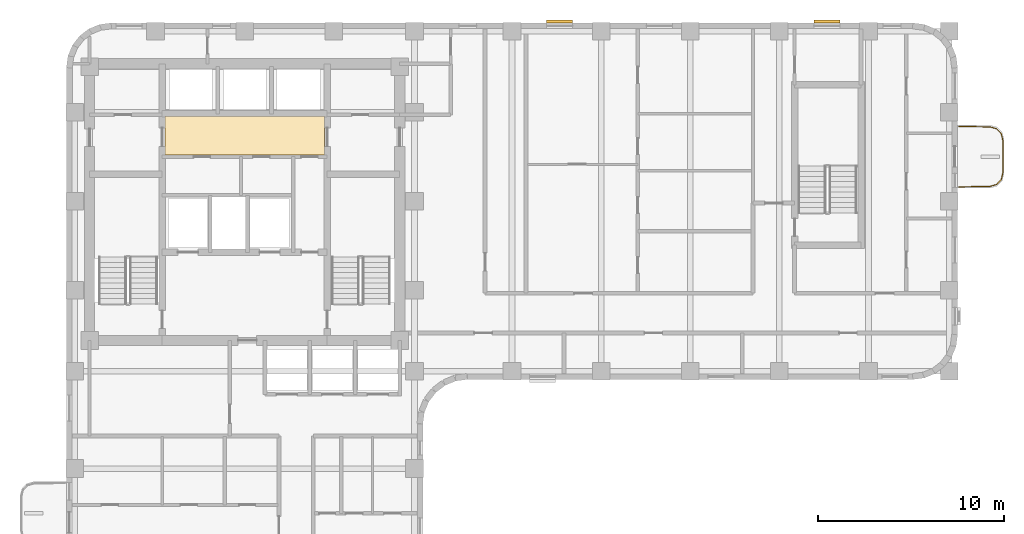
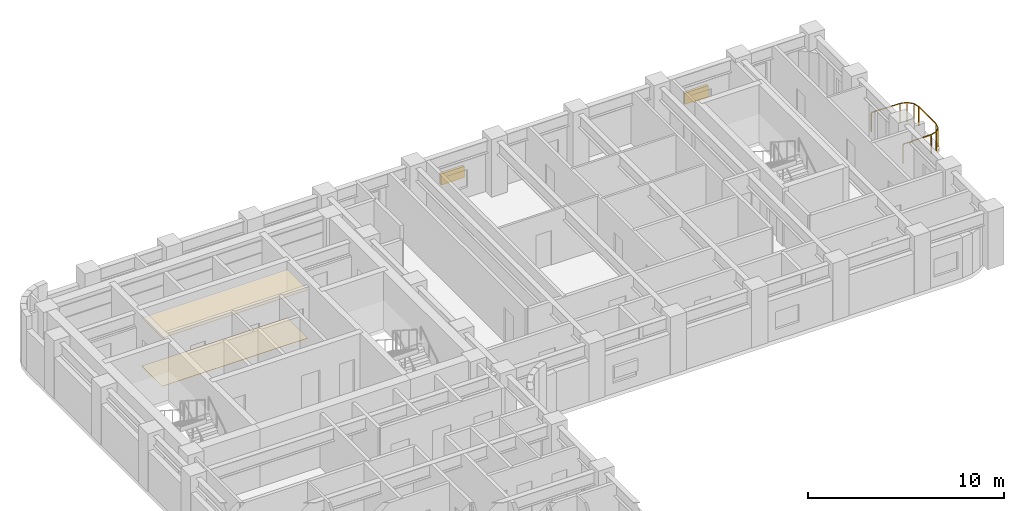
# One storey, part 10 of 10: 2 coverings, 2 shading devices, 1 railing.
"""IFC4 building model written with IfcOpenShell, lengths in metres."""

from ifc_helpers import new_model, si_unit, direction, frame, origin, origin_2d, place, context, subcontext, project, spatial, polyline, rectangle, outline, extrude, material, layer, layer_set, type_object, element, save


model = new_model("IFC4")

# Units and contexts
model_context = context("Model", 3, precision=1e-05, world=origin(), true_north=direction((0.0, 1.0)))
body_context = subcontext(model_context, "Body", "Model", "MODEL_VIEW")
ifc_project = project(units=[si_unit("LENGTHUNIT", "METRE"), si_unit("AREAUNIT", "SQUARE_METRE"), si_unit("VOLUMEUNIT", "CUBIC_METRE"), si_unit("PLANEANGLEUNIT", "RADIAN"), si_unit("MASSUNIT", "GRAM", prefix="KILO")], contexts=[model_context])

# Site, building, storey
site_placement = place(None, origin())
site = spatial("IfcSite", under=ifc_project, at=site_placement, CompositionType="ELEMENT")
building_placement = place(site_placement, origin())
building = spatial("IfcBuilding", under=site, at=building_placement, Name="Orvandelia Arch Residences", CompositionType="ELEMENT")
storey_placement = place(building_placement, frame((0.0, 0.0, 132.39990234375)))
storey = spatial("IfcBuildingStorey", under=building, at=storey_placement, Name="L34", CompositionType="ELEMENT", Elevation=132.39990234375)

# Coverings
ifc_material_1 = material(Name="Perforated Acoustic Mineral-Fibre Ceiling")
ifc_layer_1 = layer(ifc_material_1, 0.02490234375, Name="Perforated Acoustic Mineral-Fibre Ceiling")
ifc_layer_set_1 = layer_set([ifc_layer_1], Name="Perforated Acoustic Mineral-Fibre Ceiling")
covering_type_1 = type_object("IfcCoveringType", Name="COV-CEIL-ACOUSTIC", PredefinedType="CEILING", material=ifc_layer_set_1)
covering_1_placement = place(storey_placement, frame((0.0, 0.0, 3.010009765625)))
element("IfcCovering", 1, at=covering_1_placement, inside=storey, type_object=covering_type_1, Name="Lift Hall Suspended Acoustic Ceiling L34", PredefinedType="CEILING", context=body_context, shape_type="SweptSolid", body=[
    extrude(outline(polyline([(10.10009765625, 40.8798828125), (18.699951171875, 40.8798828125), (18.699951171875, 42.97998046875), (10.10009765625, 42.97998046875), (10.10009765625, 40.8798828125)])), origin(), (0.0, 0.0, 1.0), 0.025146484375),
])
ifc_material_2 = material(Name="Engineered Oak Flooring")
ifc_layer_2 = layer(ifc_material_2, 0.02001953125, Name="Engineered Oak Flooring")
ifc_layer_set_2 = layer_set([ifc_layer_2], Name="Engineered Oak Flooring")
covering_type_2 = type_object("IfcCoveringType", Name="COV-FLOOR-TIMBER", PredefinedType="FLOORING", material=ifc_layer_set_2)
covering_2_placement = place(storey_placement, origin())
element("IfcCovering", 2, at=covering_2_placement, inside=storey, type_object=covering_type_2, Name="Lift Hall Finish Flooring L34", PredefinedType="FLOORING", context=body_context, shape_type="SweptSolid", body=[
    extrude(outline(polyline([(10.10009765625, 40.8798828125), (18.699951171875, 40.8798828125), (18.699951171875, 42.97998046875), (10.10009765625, 42.97998046875), (10.10009765625, 40.8798828125)])), origin(), (0.0, 0.0, 1.0), 0.02001953125),
])

# Railing
ifc_material_3 = material(Name="Marine-Grade Stainless Steel 316", Category="steel")
railing_type = type_object("IfcRailingType", Name="GRD-BAL-1200", PredefinedType="BALUSTRADE", material=ifc_material_3)
railing_placement = place(storey_placement, frame((52.871826171875, 39.169677734375, 0.0)))
element("IfcRailing", 3, at=railing_placement, inside=storey, type_object=railing_type, Name="Safety Balustrade Guard GRD-L34-BAL-L34-E1-1", PredefinedType="BALUSTRADE", context=body_context, shape_type="SweptSolid", body=[
    extrude(rectangle(XDim=0.048095703125, YDim=0.048095703125, at=origin_2d()), frame((0.0, 0.0, 1.19580078125), z_axis=(0.999837384468, 0.018033430643, 0.0), x_axis=(-0.018033430643, 0.999837384468, 0.0)), (0.0, 0.0, 1.0), 1.6787109375),
    extrude(rectangle(XDim=0.048095703125, YDim=0.048095703125, at=origin_2d()), frame((1.678466796875, 0.0302734375, 1.19580078125), z_axis=(0.96348920644, 0.267747173792, 0.0), x_axis=(-0.267747173792, 0.96348920644, 0.0)), (0.0, 0.0, 1.0), 0.36572265625),
    extrude(rectangle(XDim=0.048095703125, YDim=0.048095703125, at=origin_2d()), frame((2.03076171875, 0.128173828125, 1.19580078125), z_axis=(0.687947031175, 0.725760898848, 0.0), x_axis=(-0.725760898848, 0.687947031175, 0.0)), (0.0, 0.0, 1.0), 0.367919921875),
    extrude(rectangle(XDim=0.048095703125, YDim=0.048095703125, at=origin_2d()), frame((2.283935546875, 0.395263671875, 1.19580078125), z_axis=(0.221225034864, 0.975222786828, 0.0), x_axis=(-0.975222786828, 0.221225034864, 0.0)), (0.0, 0.0, 1.0), 0.373046875),
    extrude(rectangle(XDim=0.048095703125, YDim=0.048095703125, at=origin_2d()), frame((2.366455078125, 0.759033203125, 1.19580078125), z_axis=(0.0, 1.0, 0.0), x_axis=(-1.0, 0.0, 0.0)), (0.0, 0.0, 1.0), 1.74267578125),
    extrude(rectangle(XDim=0.048095703125, YDim=0.048095703125, at=origin_2d()), frame((2.366455078125, 2.501708984375, 1.19580078125), z_axis=(-0.221225034864, 0.975222786828, 0.0), x_axis=(-0.975222786828, -0.221225034864, 0.0)), (0.0, 0.0, 1.0), 0.373046875),
    extrude(rectangle(XDim=0.048095703125, YDim=0.048095703125, at=origin_2d()), frame((2.283935546875, 2.865478515625, 1.19580078125), z_axis=(-0.688278345278, 0.725446703364, 0.0), x_axis=(-0.725446703364, -0.688278345278, 0.0)), (0.0, 0.0, 1.0), 0.367919921875),
    extrude(rectangle(XDim=0.048095703125, YDim=0.048095703125, at=origin_2d()), frame((2.03076171875, 3.13232421875, 1.19580078125), z_axis=(-0.96348920644, 0.267747173792, 0.0), x_axis=(-0.267747173792, -0.96348920644, 0.0)), (0.0, 0.0, 1.0), 0.36572265625),
    extrude(rectangle(XDim=0.048095703125, YDim=0.048095703125, at=origin_2d()), frame((1.678466796875, 3.230224609375, 1.19580078125), z_axis=(-0.999834751713, 0.018178813668, 0.0), x_axis=(-0.018178813668, -0.999834751713, 0.0)), (0.0, 0.0, 1.0), 1.6787109375),
    extrude(rectangle(XDim=0.0419921875, YDim=0.0419921875, at=origin_2d()), origin(), (0.0, 0.0, 1.0), 1.171875),
    extrude(rectangle(XDim=0.0419921875, YDim=0.0419921875, at=origin_2d()), frame((1.678466796875, 0.0302734375, 0.0)), (0.0, 0.0, 1.0), 1.171875),
    extrude(rectangle(XDim=0.0419921875, YDim=0.0419921875, at=origin_2d()), frame((2.03076171875, 0.128173828125, 0.0)), (0.0, 0.0, 1.0), 1.171875),
    extrude(rectangle(XDim=0.0419921875, YDim=0.0419921875, at=origin_2d()), frame((2.283935546875, 0.395263671875, 0.0)), (0.0, 0.0, 1.0), 1.171875),
    extrude(rectangle(XDim=0.0419921875, YDim=0.0419921875, at=origin_2d()), frame((2.366455078125, 0.759033203125, 0.0)), (0.0, 0.0, 1.0), 1.171875),
    extrude(rectangle(XDim=0.0419921875, YDim=0.0419921875, at=origin_2d()), frame((2.366455078125, 2.501708984375, 0.0)), (0.0, 0.0, 1.0), 1.171875),
    extrude(rectangle(XDim=0.0419921875, YDim=0.0419921875, at=origin_2d()), frame((2.283935546875, 2.865478515625, 0.0)), (0.0, 0.0, 1.0), 1.171875),
    extrude(rectangle(XDim=0.0419921875, YDim=0.0419921875, at=origin_2d()), frame((2.03076171875, 3.13232421875, 0.0)), (0.0, 0.0, 1.0), 1.171875),
    extrude(rectangle(XDim=0.0419921875, YDim=0.0419921875, at=origin_2d()), frame((1.678466796875, 3.230224609375, 0.0)), (0.0, 0.0, 1.0), 1.171875),
    extrude(rectangle(XDim=0.0419921875, YDim=0.0419921875, at=origin_2d()), frame((0.0, 3.2607421875, 0.0)), (0.0, 0.0, 1.0), 1.171875),
])

# Shading devices
ifc_material_4 = material(Name="Anodised Champagne-Bronze Extruded Aluminium", Category="aluminium")
shading_device_type = type_object("IfcShadingDeviceType", Name="SHD-JALOUSIE-SCREEN", PredefinedType="JALOUSIE", material=ifc_material_4)
for number, where, z_axis, x_axis, name in (
    (4, (45.762451171875, 48.080078125, 1.05029296875), (0.0, 0.0, 1.0), (1.0, 0.0, 0.0), "Bronze Jalousie Sun-Shade L34-001"),
    (5, (31.367431640625, 48.080078125, 1.05029296875), (0.0, 0.0, 1.0), (1.0, 0.0, 0.0), "Bronze Jalousie Sun-Shade L34-002"),
):
    element("IfcShadingDevice", number, at=place(storey_placement, frame(where, z_axis=z_axis, x_axis=x_axis)), inside=storey, type_object=shading_device_type, Name=name, PredefinedType="JALOUSIE", context=body_context, shape_type="SweptSolid", body=[
        extrude(rectangle(XDim=1.39990234375, YDim=0.159912109375, at=origin_2d()), origin(), (0.0, 0.0, 1.0), 0.699951171875),
    ])

save(model, "model.ifc")
